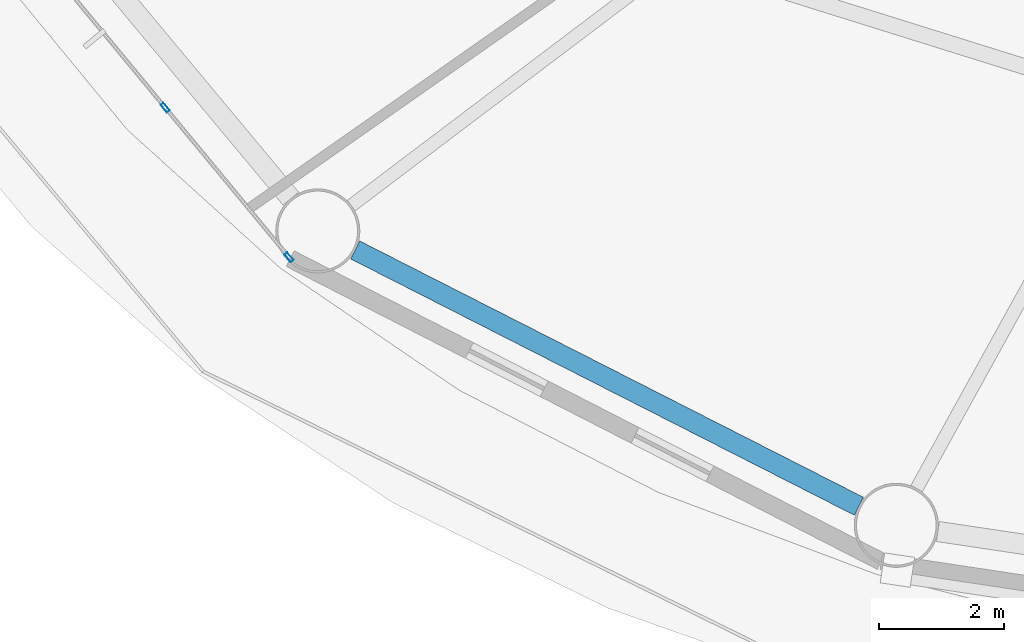
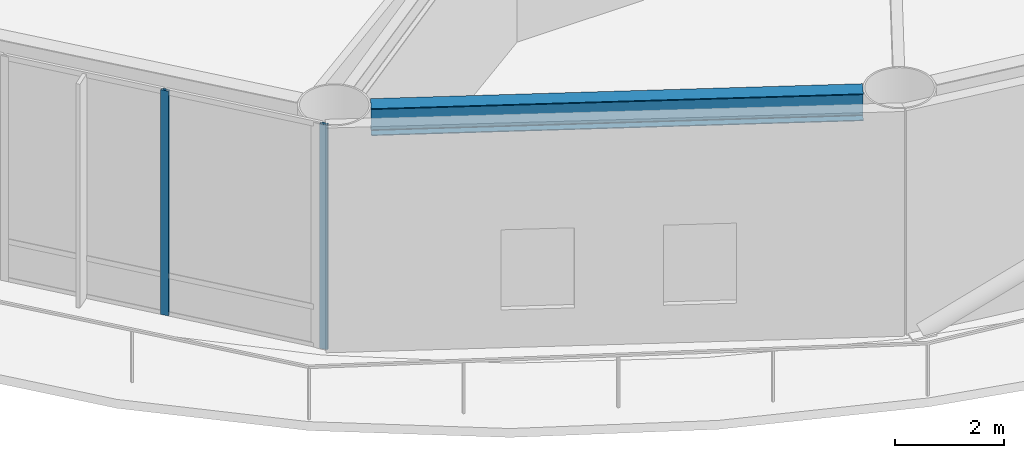
# One storey, part 2 of 25: 2 members, 1 beam, 1 element without a shape of its own.
"""IFC4 building model written with IfcOpenShell, lengths in metres."""

from ifc_helpers import new_model, si_unit, direction, frame, origin, origin_2d, place, context, subcontext, project, spatial, hollow_rectangle, i_section, extrude, material, layer, layer_set, material_profile, profile_set, type_object, element, aggregate, save


model = new_model("IFC4")

# Units and contexts
model_context = context("Model", 3, precision=1e-05, world=origin(), true_north=direction((0.0, 1.0)))
body_context = subcontext(model_context, "Body", "Model", "MODEL_VIEW")
ifc_project = project(units=[si_unit("LENGTHUNIT", "METRE"), si_unit("AREAUNIT", "SQUARE_METRE"), si_unit("VOLUMEUNIT", "CUBIC_METRE"), si_unit("PLANEANGLEUNIT", "RADIAN"), si_unit("MASSUNIT", "GRAM", prefix="KILO")], contexts=[model_context])

# Site, building, storey
site_placement = place(None, origin())
site = spatial("IfcSite", under=ifc_project, at=site_placement, CompositionType="ELEMENT")
building_placement = place(site_placement, origin())
building = spatial("IfcBuilding", under=site, at=building_placement, Name="Sarneth Arch Tower", CompositionType="ELEMENT")
storey_placement = place(building_placement, frame((0.0, 0.0, 134.39990234375)))
storey = spatial("IfcBuildingStorey", under=building, at=storey_placement, Name="L34", CompositionType="ELEMENT", Elevation=134.39990234375)

# Beam
ifc_material_1 = material(Name="Steel S355", Category="steel")
ifc_material_profile_1 = material_profile(ifc_material_1, i_section(OverallWidth=0.323974609375, OverallDepth=0.611083984375, WebThickness=0.0126953125, FlangeThickness=0.01904296875, FilletRadius=0.01904296875, at=origin_2d()), Name="W610x155")
ifc_profile_set_1 = profile_set([ifc_material_profile_1], Name="Steel S355")
beam_type = type_object("IfcBeamType", Name="BM-SPAN-610B", PredefinedType="SPANDREL", material=ifc_profile_set_1)
beam_placement = place(storey_placement, frame((28.203857421875, 26.279052734375, 4.74462890625), z_axis=(0.891255891792, -0.453500755619, 0.0), x_axis=(0.453500755619, 0.891255891792, 0.0)))
element("IfcBeam", 1, at=beam_placement, inside=storey, type_object=beam_type, Name="L34 Perimeter spandrel beam 11", PredefinedType="SPANDREL", context=body_context, shape_type="SweptSolid", body=[
    extrude(i_section(OverallWidth=0.323974609375, OverallDepth=0.611083984375, WebThickness=0.0126953125, FlangeThickness=0.01904296875, FilletRadius=0.01904296875, at=origin_2d()), origin(), (0.0, 0.0, 1.0), 9.070556640625),
])

# Curtain wall, members
ifc_material_2 = material(Name="Anodised aluminium Type AA25 and solar-control low-e laminated IGU", Category="aluminium")
ifc_layer = layer(ifc_material_2, 0.159912109375)
ifc_layer_set = layer_set([ifc_layer], Name="Anodised aluminium Type AA25 and solar-control low-e laminated IGU")
curtain_wall_type = type_object("IfcCurtainWallType", Name="CW-HOTEL-MID", PredefinedType="NOTDEFINED", material=ifc_layer_set)
curtain_wall_placement = place(storey_placement, origin())
curtain_wall = element("IfcCurtainWall", 2, at=curtain_wall_placement, inside=storey, type_object=curtain_wall_type, Name="L34 Unitised curtain wall facet 10", PredefinedType="NOTDEFINED")
ifc_material_3 = material(Name="Anodised Aluminium 6063-T6", Category="aluminium")
ifc_material_profile_2 = material_profile(ifc_material_3, hollow_rectangle(XDim=0.06005859375, YDim=0.159912109375, WallThickness=0.00390625, at=origin_2d()), Name="AL-MULL-160x60x4")
ifc_profile_set_2 = profile_set([ifc_material_profile_2], Name="Anodised Aluminium 6063-T6")
member_type = type_object("IfcMemberType", Name="CW-MULLION", PredefinedType="MULLION", material=ifc_profile_set_2)
member_1_placement = place(storey_placement, frame((25.15283203125, 28.565185546875, 0.0), z_axis=(0.0, 0.0, 1.0), x_axis=(0.770437787363, 0.637515188684, 0.0)))
member_1 = element("IfcMember", 3, at=member_1_placement, type_object=member_type, Name="CW-SYS-4 mullion 3", PredefinedType="MULLION", context=body_context, shape_type="SweptSolid", body=[
    extrude(hollow_rectangle(XDim=0.06005859375, YDim=0.159912109375, WallThickness=0.00390625, at=origin_2d()), origin(), (0.0, 0.0, 1.0), 5.050048828125),
])
member_2_placement = place(storey_placement, frame((27.140869140625, 26.16259765625, 0.0), z_axis=(0.0, 0.0, 1.0), x_axis=(0.770437787363, 0.637515188684, 0.0)))
member_2 = element("IfcMember", 4, at=member_2_placement, type_object=member_type, Name="CW-SYS-4 mullion 4", PredefinedType="MULLION", context=body_context, shape_type="SweptSolid", body=[
    extrude(hollow_rectangle(XDim=0.06005859375, YDim=0.159912109375, WallThickness=0.00390625, at=origin_2d()), origin(), (0.0, 0.0, 1.0), 5.050048828125),
])
aggregate(curtain_wall, [member_1, member_2])

save(model, "model.ifc")
